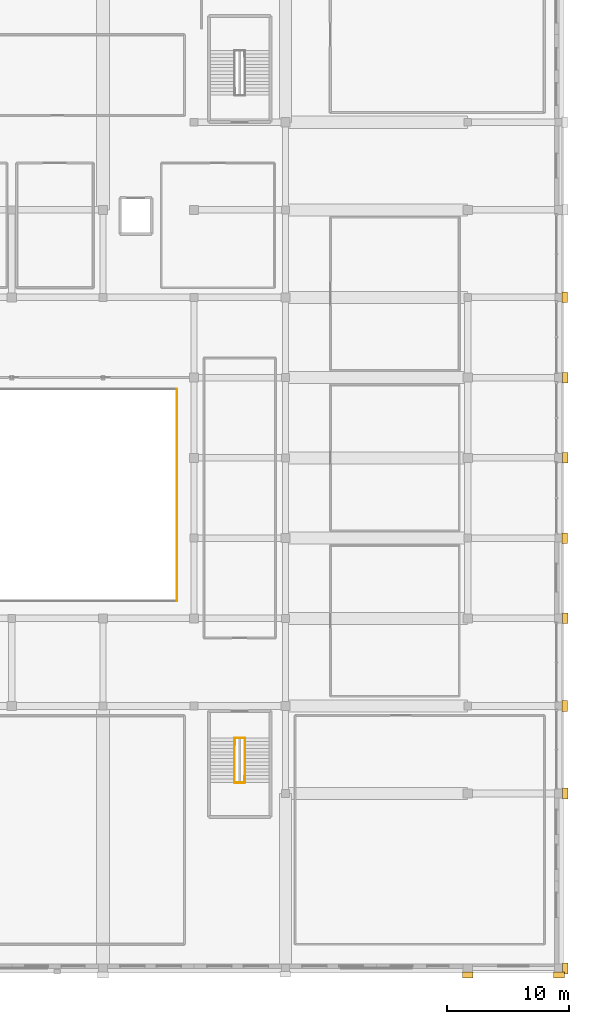
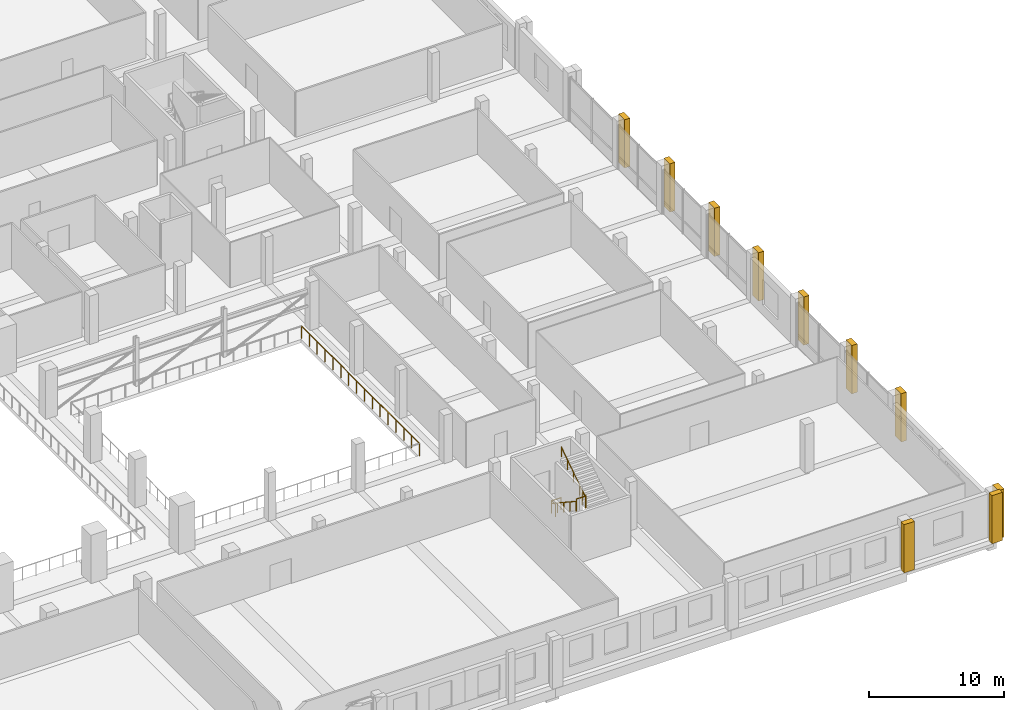
# One storey, part 62 of 64: 10 coverings, 5 railings.
"""IFC4 building model written with IfcOpenShell, lengths in metres."""

import ifcopenshell
import ifcopenshell.guid

model = None  # the IFC model being written
_history = None  # IfcOwnerHistory: only IFC2X3 demands one
_inside = {}  # id of a spatial element -> (the spatial element, [elements in it])
_under = {}  # id of a project, library or spatial element -> (it, [spatial elements below it])
_declared = {}  # id of a project -> (the project, [libraries it declares])
_typed = {}  # id of a type object -> (the type object, [elements of that type])
_made_of = {}  # id of a material, layer set ... -> (it, [elements and type objects made of it])


def new_model(schema):
    """Start an empty IFC model of exactly this schema.

    Asked for "IFC4X3", IfcOpenShell would pick the latest addendum, in which some entities
    have other attributes; the version numbers below select the first issue.
    IFC2X3 requires an IfcOwnerHistory on every rooted entity: one is made here for all.
    """
    global model, _history
    if schema == "IFC4X3":
        model = ifcopenshell.file(schema_version=(4, 3, 0, 0))
    else:
        model = ifcopenshell.file(schema=schema)
    _inside.clear()
    _under.clear()
    _declared.clear()
    _typed.clear()
    _made_of.clear()
    _history = None
    if model.schema == "IFC2X3":
        org = make("IfcOrganization", Name="unknown")
        user = make(
            "IfcPersonAndOrganization",
            ThePerson=make("IfcPerson", FamilyName="unknown"),
            TheOrganization=org,
        )
        app = make(
            "IfcApplication",
            ApplicationDeveloper=org,
            Version="unknown",
            ApplicationFullName="unknown",
            ApplicationIdentifier="unknown",
        )
        _history = make(
            "IfcOwnerHistory",
            OwningUser=user,
            OwningApplication=app,
            ChangeAction="ADDED",
            CreationDate=0,
        )
    return model


def make(cls, **values):
    """One entity of the class cls with the attributes given. An attribute that is None is left unset."""
    return model.create_entity(
        cls, **{name: value for name, value in values.items() if value is not None}
    )


def rooted(cls, **values):
    """An entity with a GlobalId (a new one), such as an element, a storey or a relation."""
    return make(cls, GlobalId=ifcopenshell.guid.new(), OwnerHistory=_history, **values)


def si_unit(unit_type, name, prefix=None):
    """IfcSIUnit, for example si_unit("LENGTHUNIT", "METRE", prefix="MILLI")."""
    return make("IfcSIUnit", UnitType=unit_type, Prefix=prefix, Name=name)


def assignment(units):
    """IfcUnitAssignment: the units of a project."""
    return None if units is None else make("IfcUnitAssignment", Units=units)


def point(xyz):
    """IfcCartesianPoint."""
    return None if xyz is None else make("IfcCartesianPoint", Coordinates=xyz)


def direction(xyz):
    """IfcDirection."""
    return None if xyz is None else make("IfcDirection", DirectionRatios=xyz)


def frame(location, z_axis=None, x_axis=None):
    """IfcAxis2Placement3D, a coordinate frame: its origin and axes. An axis left out is left unset."""
    return make(
        "IfcAxis2Placement3D",
        Location=point(location),
        Axis=direction(z_axis),
        RefDirection=direction(x_axis),
    )


def frame_2d(location, x_axis=None):
    """IfcAxis2Placement2D, a coordinate frame in the plane: its origin and x axis."""
    return make(
        "IfcAxis2Placement2D", Location=point(location), RefDirection=direction(x_axis)
    )


def origin():
    """The frame at (0, 0, 0) with its axes left unset."""
    return frame((0.0, 0.0, 0.0))


def origin_2d():
    """The frame at (0, 0) in the plane with its x axis left unset."""
    return frame_2d((0.0, 0.0))


def place(relative_to, where):
    """IfcLocalPlacement: puts the frame where relative to a parent placement (None: the world)."""
    return make(
        "IfcLocalPlacement", PlacementRelTo=relative_to, RelativePlacement=where
    )


def context(
    kind, dimensions, precision=None, world=None, true_north=None, identifier=None
):
    """IfcGeometricRepresentationContext, for example the 3D "Model" context."""
    return make(
        "IfcGeometricRepresentationContext",
        ContextIdentifier=identifier,
        ContextType=kind,
        CoordinateSpaceDimension=dimensions,
        Precision=precision,
        WorldCoordinateSystem=world,
        TrueNorth=true_north,
    )


def subcontext(parent, identifier, kind, view, scale=None):
    """IfcGeometricRepresentationSubContext, for example "Body" below "Model"."""
    return make(
        "IfcGeometricRepresentationSubContext",
        ContextIdentifier=identifier,
        ContextType=kind,
        ParentContext=parent,
        TargetScale=scale,
        TargetView=view,
    )


def project(units=None, contexts=None):
    """IfcProject with its units and contexts."""
    return rooted(
        "IfcProject",
        Name="project",
        RepresentationContexts=contexts,
        UnitsInContext=assignment(units),
    )


def spatial(cls, under=None, at=None, **own):
    """A site, building, storey or space (cls), placed at a placement, below another one or the project."""
    s = rooted(cls, ObjectPlacement=at, **own)
    if under is not None:
        _under.setdefault(under.id(), (under, []))[1].append(s)
    return s


def profile(cls, at=None, kind="AREA", **sizes):
    """A parametric profile (cls). Its sizes go by their IFC names, for example OverallWidth=200.0."""
    return make(cls, ProfileType=kind, Position=at, **sizes)


def rectangle(**sizes):
    """IfcRectangleProfileDef."""
    return profile("IfcRectangleProfileDef", **sizes)


def circle(**sizes):
    """IfcCircleProfileDef."""
    return profile("IfcCircleProfileDef", **sizes)


def extrude(swept, where, along, depth):
    """IfcExtrudedAreaSolid: the profile swept, set in the frame where, extruded along a direction by depth."""
    return make(
        "IfcExtrudedAreaSolid",
        SweptArea=swept,
        Position=where,
        ExtrudedDirection=direction(along),
        Depth=depth,
    )


def shape(context_of_items, identifier, shape_type, items):
    """IfcShapeRepresentation: the items that make up one representation, for example the "Body"."""
    return make(
        "IfcShapeRepresentation",
        ContextOfItems=context_of_items,
        RepresentationIdentifier=identifier,
        RepresentationType=shape_type,
        Items=items,
    )


def material(Name=None, Category=None):
    """IfcMaterial."""
    return make("IfcMaterial", Name=Name, Category=Category)


def layer(
    of_material, thickness, ventilated=None, Name=None, Category=None, Priority=None
):
    """IfcMaterialLayer: one layer of a wall or slab, of a material (None: an air gap)."""
    return make(
        "IfcMaterialLayer",
        Material=of_material,
        LayerThickness=thickness,
        IsVentilated=ventilated,
        Name=Name,
        Category=Category,
        Priority=Priority,
    )


def layer_set(layers, Name=None):
    """IfcMaterialLayerSet."""
    return make("IfcMaterialLayerSet", MaterialLayers=layers, LayerSetName=Name)


def made_of(thing, what):
    """Note that an element or type object is made of a material, layer set ...; save() writes the relation."""
    if what is not None:
        _made_of.setdefault(what.id(), (what, []))[1].append(thing)
    return thing


def type_object(cls, material=None, **own):
    """A type object (cls), such as IfcWallType, which elements share."""
    return made_of(rooted(cls, **own), material)


def element(
    cls,
    number,
    at=None,
    inside=None,
    cuts=None,
    type_object=None,
    material=None,
    context=None,
    identifier="Body",
    shape_type=None,
    held_by="IfcProductDefinitionShape",
    body=None,
    shapes=None,
    **own,
):
    """One element of the class cls, such as IfcWall. Its Tag is "e" and its number.

    at: its placement. inside: the storey or other place that contains it. cuts: it is an
    opening in that element (IfcRelVoidsElement). A single representation is given by context,
    identifier, shape_type and body (its items); several are given by shapes. held_by: the class
    of the entity that holds the representations. save() writes the other relations.
    """
    e = rooted(cls, Tag="e%d" % number, ObjectPlacement=at, **own)
    if body is not None:
        shapes = [shape(context, identifier, shape_type, body)]
    if shapes is not None:
        e.Representation = make(held_by, Representations=shapes)
    if inside is not None:
        _inside.setdefault(inside.id(), (inside, []))[1].append(e)
    if cuts is not None:
        rooted(
            "IfcRelVoidsElement", RelatingBuildingElement=cuts, RelatedOpeningElement=e
        )
    if type_object is not None:
        _typed.setdefault(type_object.id(), (type_object, []))[1].append(e)
    return made_of(e, material)


def aggregate(whole, parts):
    """IfcRelAggregates: a whole, such as a stair, and the parts it consists of."""
    return rooted("IfcRelAggregates", RelatingObject=whole, RelatedObjects=parts)


def save(model, path):
    """Write the relations noted so far, then the file.

    IfcRelAggregates (storeys below a building ...), IfcRelContainedInSpatialStructure (elements
    in a storey), IfcRelDefinesByType, IfcRelAssociatesMaterial and IfcRelDeclares: one each for
    every whole, place, type object, material and project.
    """
    for whole, parts in _under.values():
        aggregate(whole, parts)
    for where, things in _inside.values():
        rooted(
            "IfcRelContainedInSpatialStructure",
            RelatedElements=things,
            RelatingStructure=where,
        )
    for kind, things in _typed.values():
        rooted("IfcRelDefinesByType", RelatedObjects=things, RelatingType=kind)
    for what, things in _made_of.values():
        rooted("IfcRelAssociatesMaterial", RelatedObjects=things, RelatingMaterial=what)
    for by, libraries in _declared.values():
        rooted("IfcRelDeclares", RelatingContext=by, RelatedDefinitions=libraries)
    model.write(path)


model = new_model("IFC4")

# Units and contexts
model_context = context("Model", 3, precision=1e-05, world=origin(), true_north=direction((0.0, 1.0)))
body_context = subcontext(model_context, "Body", "Model", "MODEL_VIEW")
ifc_project = project(units=[si_unit("LENGTHUNIT", "METRE"), si_unit("AREAUNIT", "SQUARE_METRE"), si_unit("VOLUMEUNIT", "CUBIC_METRE"), si_unit("PLANEANGLEUNIT", "RADIAN"), si_unit("MASSUNIT", "GRAM", prefix="KILO")], contexts=[model_context])

# Site, building, storey
site_placement = place(None, origin())
site = spatial("IfcSite", under=ifc_project, at=site_placement, CompositionType="ELEMENT")
building_placement = place(site_placement, origin())
building = spatial("IfcBuilding", under=site, at=building_placement, Name="Akrevak Sports Hall", CompositionType="ELEMENT")
storey_placement = place(building_placement, frame((0.0, 0.0, 4.60009765625)))
storey = spatial("IfcBuildingStorey", under=building, at=storey_placement, Name="L01", CompositionType="ELEMENT", Elevation=4.60009765625)

# Coverings
ifc_material_1 = material(Name="Limestone Ashlar", Category="stone")
ifc_layer_1 = layer(ifc_material_1, 0.47998046875, Name="Limestone Ashlar")
ifc_layer_set_1 = layer_set([ifc_layer_1], Name="Limestone Ashlar")
covering_type = type_object("IfcCoveringType", Name="ARC-COV-PIL-LIM", PredefinedType="CLADDING", material=ifc_layer_set_1)
for number, where, z_axis, x_axis, name in (
    (1, (160.5, -0.52490234375, -0.000244140625), (0.0, 0.0, 1.0), (1.0, 0.0, 0.0), "Giant-Order Limestone Pilaster L01-01-12"),
    (2, (168.0, -0.52490234375, -0.000244140625), (0.0, 0.0, 1.0), (1.0, 0.0, 0.0), "Giant-Order Limestone Pilaster L01-01-13"),
    (3, (168.52490234375, 0.0, -0.000244140625), (0.0, 0.0, 1.0), (0.0, 1.0, 0.0), "Giant-Order Limestone Pilaster L01-02-13"),
    (4, (168.52490234375, 14.39990234375, -0.000244140625), (0.0, 0.0, 1.0), (0.0, 1.0, 0.0), "Giant-Order Limestone Pilaster L01-02-14"),
    (5, (168.47509765625, 21.60009765625, -0.000244140625), (0.0, 0.0, 1.0), (0.0, 1.0, 0.0), "Giant-Order Limestone Pilaster L01-02-15"),
    (6, (168.52490234375, 28.800048828125, -0.000244140625), (0.0, 0.0, 1.0), (0.0, 1.0, 0.0), "Giant-Order Limestone Pilaster L01-02-16"),
    (7, (168.47509765625, 35.39990234375, -0.000244140625), (0.0, 0.0, 1.0), (0.0, 1.0, 0.0), "Giant-Order Limestone Pilaster L01-02-17"),
    (8, (168.52490234375, 42.0, -0.000244140625), (0.0, 0.0, 1.0), (0.0, 1.0, 0.0), "Giant-Order Limestone Pilaster L01-02-18"),
    (9, (168.52490234375, 48.60009765625, -0.000244140625), (0.0, 0.0, 1.0), (0.0, 1.0, 0.0), "Giant-Order Limestone Pilaster L01-02-19"),
    (10, (168.47509765625, 55.199951171875, -0.000244140625), (0.0, 0.0, 1.0), (0.0, 1.0, 0.0), "Giant-Order Limestone Pilaster L01-02-20"),
):
    element("IfcCovering", number, at=place(storey_placement, frame(where, z_axis=z_axis, x_axis=x_axis)), inside=storey, type_object=covering_type, Name=name, PredefinedType="CLADDING", context=body_context, shape_type="SweptSolid", body=[
        extrude(rectangle(XDim=0.8798828125, YDim=0.4599609375, at=origin_2d()), origin(), (0.0, 0.0, 1.0), 4.35009765625),
    ])

# Railings
ifc_material_2 = material(Name="Painted Architectural Balustrade Steel", Category="steel")
ifc_layer_2 = layer(ifc_material_2, 0.06005859375, Name="Painted Architectural Balustrade Steel")
ifc_layer_set_2 = layer_set([ifc_layer_2], Name="Painted Architectural Balustrade Steel")
railing_type_1 = type_object("IfcRailingType", Name="ARC-RL-GRD-1120", PredefinedType="GUARDRAIL", material=ifc_layer_set_2)
railing_1_placement = place(storey_placement, frame((141.360107421875, 18.429931640625, 0.0)))
element("IfcRailing", 11, at=railing_1_placement, inside=storey, type_object=railing_type_1, Name="Stair Floor Landing Well Guard ST7 (L01)", PredefinedType="GUARDRAIL", context=body_context, shape_type="SweptSolid", body=[
    extrude(circle(Radius=0.02392578125, at=origin_2d()), frame((0.0, 0.0, 1.09619140625), z_axis=(0.0, 1.0, 0.0), x_axis=(-1.0, 0.0, 0.0)), (0.0, 0.0, 1.0), 0.550048828125),
    extrude(circle(Radius=0.02392578125, at=origin_2d()), frame((0.0, 0.550048828125, 1.09619140625), z_axis=(1.0, 0.0, 0.0), x_axis=(0.0, 1.0, 0.0)), (0.0, 0.0, 1.0), 0.809814453125),
    extrude(circle(Radius=0.02099609375, at=origin_2d()), origin(), (0.0, 0.0, 1.0), 1.072021484375),
    extrude(circle(Radius=0.02099609375, at=origin_2d()), frame((0.0, 0.550048828125, 0.0)), (0.0, 0.0, 1.0), 1.072021484375),
    extrude(circle(Radius=0.02099609375, at=origin_2d()), frame((0.809814453125, 0.550048828125, 0.0)), (0.0, 0.0, 1.0), 1.072021484375),
])
railing_2_placement = place(storey_placement, frame((141.330078125, 15.280029296875, 2.39990234375)))
element("IfcRailing", 12, at=railing_2_placement, inside=storey, type_object=railing_type_1, Name="Stair Landing Well Guard ST7-L01-1", PredefinedType="GUARDRAIL", context=body_context, shape_type="SweptSolid", body=[
    extrude(circle(Radius=0.02392578125, at=origin_2d()), frame((0.0, 0.0, 1.09619140625), z_axis=(1.0, 0.0, 0.0), x_axis=(0.0, 1.0, 0.0)), (0.0, 0.0, 1.0), 0.809814453125),
    extrude(circle(Radius=0.02392578125, at=origin_2d()), frame((0.809814453125, 0.0, 1.09619140625), z_axis=(0.0, 1.0, 0.0), x_axis=(-1.0, 0.0, 0.0)), (0.0, 0.0, 1.0), 0.52001953125),
    extrude(circle(Radius=0.02099609375, at=origin_2d()), origin(), (0.0, 0.0, 1.0), 1.072021484375),
    extrude(circle(Radius=0.02099609375, at=origin_2d()), frame((0.809814453125, 0.0, 0.0)), (0.0, 0.0, 1.0), 1.072021484375),
    extrude(circle(Radius=0.02099609375, at=origin_2d()), frame((0.809814453125, 0.52001953125, 0.0)), (0.0, 0.0, 1.0), 1.072021484375),
])
ifc_material_3 = material(Name="Anodized Bronze Aluminium & Laminated Glass", Category="aluminium")
ifc_layer_3 = layer(ifc_material_3, 0.080078125, Name="Anodized Bronze Aluminium & Laminated Glass")
ifc_layer_set_3 = layer_set([ifc_layer_3], Name="Anodized Bronze Aluminium & Laminated Glass")
railing_type_2 = type_object("IfcRailingType", Name="ARC-RL-GRD-1150", PredefinedType="GUARDRAIL", material=ifc_layer_set_3)
railing_3_placement = place(storey_placement, frame((136.580078125, 30.219970703125, 0.0)))
element("IfcRailing", 13, at=railing_3_placement, inside=storey, type_object=railing_type_2, Name="Atrium/Arena Gallery Guardrail L01-CLM-E", PredefinedType="GUARDRAIL", context=body_context, shape_type="SweptSolid", body=[
    extrude(circle(Radius=0.02392578125, at=origin_2d()), frame((0.0, 0.0, 1.1259765625), z_axis=(0.0, 1.0, 0.0), x_axis=(-1.0, 0.0, 0.0)), (0.0, 0.0, 1.0), 17.4599609375),
    extrude(circle(Radius=0.02099609375, at=origin_2d()), origin(), (0.0, 0.0, 1.0), 1.101806640625),
    extrude(circle(Radius=0.02099609375, at=origin_2d()), frame((0.0, 1.1640625, 0.0)), (0.0, 0.0, 1.0), 1.101806640625),
    extrude(circle(Radius=0.02099609375, at=origin_2d()), frame((0.0, 2.327880859375, 0.0)), (0.0, 0.0, 1.0), 1.101806640625),
    extrude(circle(Radius=0.02099609375, at=origin_2d()), frame((0.0, 3.491943359375, 0.0)), (0.0, 0.0, 1.0), 1.101806640625),
    extrude(circle(Radius=0.02099609375, at=origin_2d()), frame((0.0, 4.656005859375, 0.0)), (0.0, 0.0, 1.0), 1.101806640625),
    extrude(circle(Radius=0.02099609375, at=origin_2d()), frame((0.0, 5.820068359375, 0.0)), (0.0, 0.0, 1.0), 1.101806640625),
    extrude(circle(Radius=0.02099609375, at=origin_2d()), frame((0.0, 6.98388671875, 0.0)), (0.0, 0.0, 1.0), 1.101806640625),
    extrude(circle(Radius=0.02099609375, at=origin_2d()), frame((0.0, 8.14794921875, 0.0)), (0.0, 0.0, 1.0), 1.101806640625),
    extrude(circle(Radius=0.02099609375, at=origin_2d()), frame((0.0, 9.31201171875, 0.0)), (0.0, 0.0, 1.0), 1.101806640625),
    extrude(circle(Radius=0.02099609375, at=origin_2d()), frame((0.0, 10.47607421875, 0.0)), (0.0, 0.0, 1.0), 1.101806640625),
    extrude(circle(Radius=0.02099609375, at=origin_2d()), frame((0.0, 11.639892578125, 0.0)), (0.0, 0.0, 1.0), 1.101806640625),
    extrude(circle(Radius=0.02099609375, at=origin_2d()), frame((0.0, 12.803955078125, 0.0)), (0.0, 0.0, 1.0), 1.101806640625),
    extrude(circle(Radius=0.02099609375, at=origin_2d()), frame((0.0, 13.968017578125, 0.0)), (0.0, 0.0, 1.0), 1.101806640625),
    extrude(circle(Radius=0.02099609375, at=origin_2d()), frame((0.0, 15.132080078125, 0.0)), (0.0, 0.0, 1.0), 1.101806640625),
    extrude(circle(Radius=0.02099609375, at=origin_2d()), frame((0.0, 16.2958984375, 0.0)), (0.0, 0.0, 1.0), 1.101806640625),
    extrude(circle(Radius=0.02099609375, at=origin_2d()), frame((0.0, 17.4599609375, 0.0)), (0.0, 0.0, 1.0), 1.101806640625),
])
ifc_material_4 = material(Name="Brushed Stainless Steel 304", Category="steel")
ifc_layer_4 = layer(ifc_material_4, 0.050048828125, Name="Brushed Stainless Steel 304")
ifc_layer_set_4 = layer_set([ifc_layer_4], Name="Brushed Stainless Steel 304")
railing_type_3 = type_object("IfcRailingType", Name="ARC-RL-HND-900", PredefinedType="HANDRAIL", material=ifc_layer_set_4)
railing_4_placement = place(storey_placement, frame((141.330078125, 18.949951171875, 0.0)))
element("IfcRailing", 14, at=railing_4_placement, inside=storey, type_object=railing_type_3, Name="Stair Handrail ST7-L01-F1", PredefinedType="HANDRAIL", context=body_context, shape_type="SweptSolid", body=[
    extrude(circle(Radius=0.02392578125, at=origin_2d()), frame((0.0, 0.0, 0.8759765625), z_axis=(0.0, -0.834865213223, 0.550454426587), x_axis=(1.0, 0.0, 0.0)), (0.0, 0.0, 1.0), 4.35986328125),
    extrude(circle(Radius=0.02099609375, at=origin_2d()), origin(), (0.0, 0.0, 1.0), 0.851806640625),
    extrude(circle(Radius=0.02099609375, at=origin_2d()), frame((0.0, -0.909912109375, 0.60009765625)), (0.0, 0.0, 1.0), 0.851806640625),
    extrude(circle(Radius=0.02099609375, at=origin_2d()), frame((0.0, -1.81982421875, 1.199951171875)), (0.0, 0.0, 1.0), 0.851806640625),
    extrude(circle(Radius=0.02099609375, at=origin_2d()), frame((0.0, -2.72998046875, 1.7998046875)), (0.0, 0.0, 1.0), 0.851806640625),
    extrude(circle(Radius=0.02099609375, at=origin_2d()), frame((0.0, -3.639892578125, 2.39990234375)), (0.0, 0.0, 1.0), 0.851806640625),
])
railing_5_placement = place(storey_placement, frame((142.169921875, 15.31005859375, 2.39990234375)))
element("IfcRailing", 15, at=railing_5_placement, inside=storey, type_object=railing_type_3, Name="Stair Handrail ST7-L01-F2", PredefinedType="HANDRAIL", context=body_context, shape_type="SweptSolid", body=[
    extrude(circle(Radius=0.02392578125, at=origin_2d()), frame((0.0, 0.0, 0.8759765625), z_axis=(0.0, 0.834865213223, 0.550454426587), x_axis=(-1.0, 0.0, 0.0)), (0.0, 0.0, 1.0), 4.35986328125),
    extrude(circle(Radius=0.02099609375, at=origin_2d()), origin(), (0.0, 0.0, 1.0), 0.851806640625),
    extrude(circle(Radius=0.02099609375, at=origin_2d()), frame((0.0, 0.909912109375, 0.60009765625)), (0.0, 0.0, 1.0), 0.851806640625),
    extrude(circle(Radius=0.02099609375, at=origin_2d()), frame((0.0, 1.81982421875, 1.199951171875)), (0.0, 0.0, 1.0), 0.851806640625),
    extrude(circle(Radius=0.02099609375, at=origin_2d()), frame((0.0, 2.72998046875, 1.7998046875)), (0.0, 0.0, 1.0), 0.851806640625),
    extrude(circle(Radius=0.02099609375, at=origin_2d()), frame((0.0, 3.639892578125, 2.39990234375)), (0.0, 0.0, 1.0), 0.851806640625),
])

save(model, "model.ifc")
